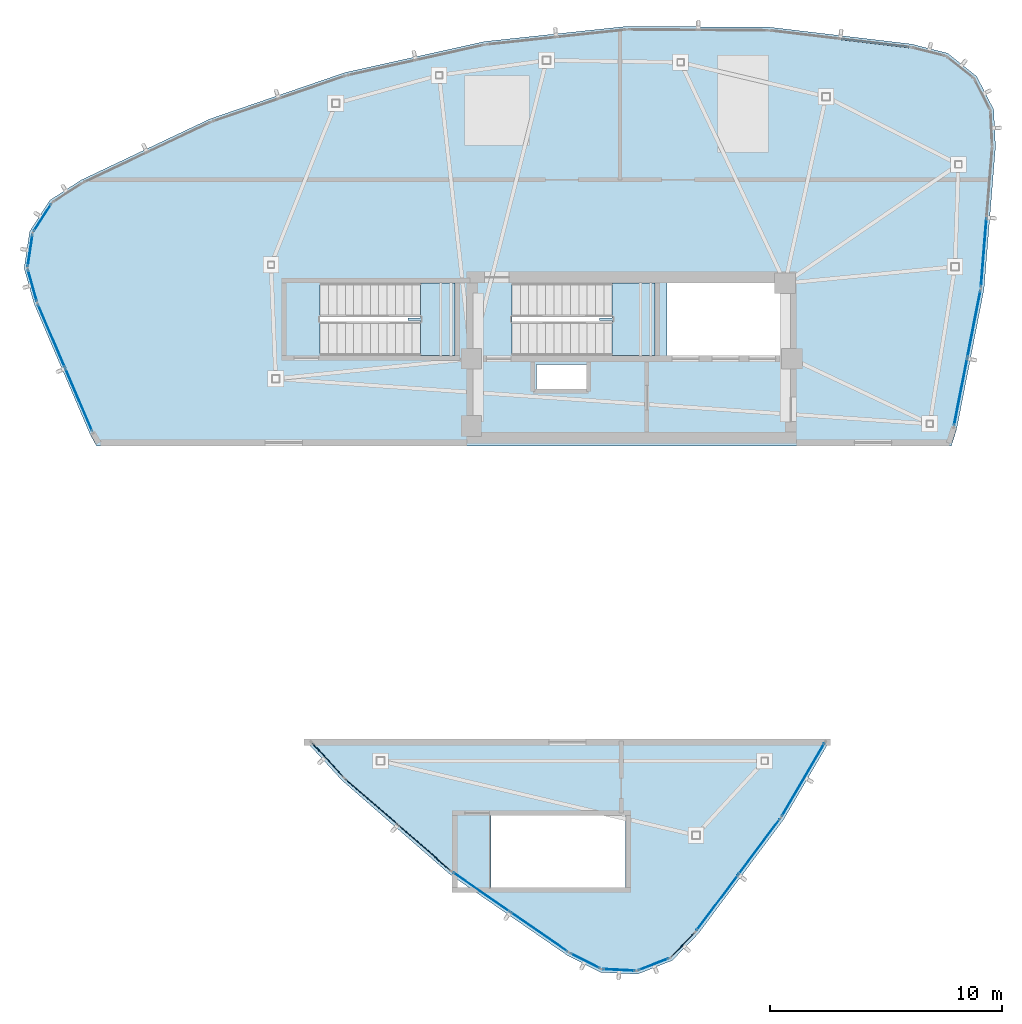
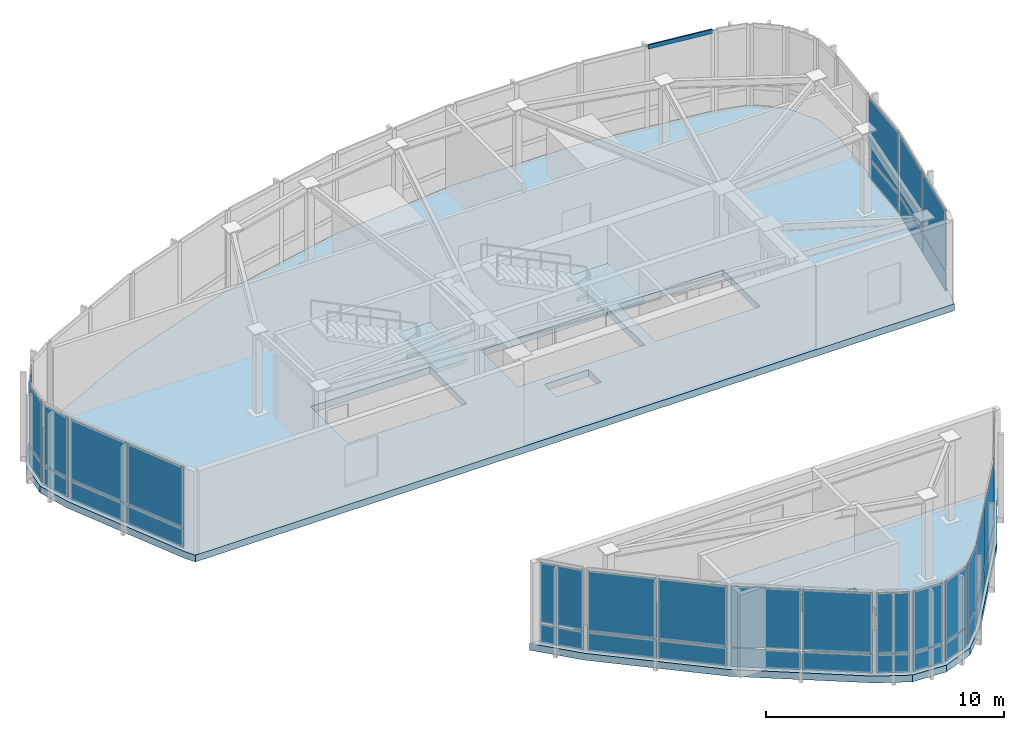
# One storey, part 8 of 15: 40 plates, 4 slabs, 1 member, 18 elements without a shape of their own.
"""IFC4 building model written with IfcOpenShell, lengths in metres."""

from ifc_helpers import new_model, si_unit, direction, frame, origin, origin_2d, place, context, subcontext, project, spatial, polyline, rectangle, hollow_rectangle, outline, extrude, source, transform, mapped, material, layer, layer_set, material_profile, profile_set, type_object, type_shapes, element, aggregate, save


model = new_model("IFC4")

# Units and contexts
model_context = context("Model", 3, precision=1e-05, world=origin(), true_north=direction((0.0, 1.0)))
body_context = subcontext(model_context, "Body", "Model", "MODEL_VIEW")
ifc_project = project(units=[si_unit("LENGTHUNIT", "METRE"), si_unit("AREAUNIT", "SQUARE_METRE"), si_unit("VOLUMEUNIT", "CUBIC_METRE"), si_unit("PLANEANGLEUNIT", "RADIAN"), si_unit("MASSUNIT", "GRAM", prefix="KILO")], contexts=[model_context])

# Site, building, storey
site_placement = place(None, origin())
site = spatial("IfcSite", under=ifc_project, at=site_placement, CompositionType="ELEMENT")
building_placement = place(site_placement, origin())
building = spatial("IfcBuilding", under=site, at=building_placement, Name="Tavelor Broadcast Tower", CompositionType="ELEMENT")
storey_placement = place(building_placement, frame((0.0, 0.0, 341.300048828125)))
storey = spatial("IfcBuildingStorey", under=building, at=storey_placement, Name="L81", CompositionType="ELEMENT", Elevation=341.300048828125)

# Curtain wall, member
ifc_material_1 = material(Name="Architectural Anodized Aluminium", Category="aluminium")
ifc_layer_1 = layer(ifc_material_1, 0.2099609375)
ifc_layer_set_1 = layer_set([ifc_layer_1], Name="Architectural Anodized Aluminium")
curtain_wall_type = type_object("IfcCurtainWallType", Name="Split-Crown Beacon Curtain Wall CW06", PredefinedType="NOTDEFINED", material=ifc_layer_set_1)
curtain_wall_1_placement = place(storey_placement, origin())
curtain_wall_1 = element("IfcCurtainWall", 1, at=curtain_wall_1_placement, inside=storey, type_object=curtain_wall_type, Name="L81 Curtain Wall CW06 Run 935", PredefinedType="NOTDEFINED")
ifc_material_profile = material_profile(ifc_material_1, hollow_rectangle(XDim=0.072021484375, YDim=0.2099609375, WallThickness=0.02197265625, at=origin_2d()), Name="RHS 72x210x22")
ifc_profile_set = profile_set([ifc_material_profile], Name="Architectural Anodized Aluminium")
member_type = type_object("IfcMemberType", Name="CW06 Extruded Aluminium Transom 72x210", PredefinedType="USERDEFINED", material=ifc_profile_set)
shared_shape_1 = source(origin(), body_context, "Body", "SweptSolid", [
    extrude(hollow_rectangle(XDim=0.072021484375, YDim=0.2099609375, WallThickness=0.02197265625, at=origin_2d()), origin(), (0.0, 0.0, 1.0), 2.94140625),
])
type_shapes(member_type, [shared_shape_1])
member_placement = place(storey_placement, frame((61.929931640625, 61.360595703125, 4.2138671875), z_axis=(-0.99300079503, 0.118107667279, 0.0), x_axis=(-0.118107667279, -0.99300079503, 0.0)))
member = element("IfcMember", 2, at=member_placement, type_object=member_type, Name="CW06 transom 1.3", ObjectType="TRANSOM", PredefinedType="USERDEFINED", context=body_context, shape_type="MappedRepresentation", body=[
    mapped(shared_shape_1, transform((0.0, 0.0, 0.0), scale=1.0)),
])
aggregate(curtain_wall_1, [member])

# Slabs
ifc_material_2 = material(Name="Concrete C40/50", Category="concrete")
ifc_layer_2 = layer(ifc_material_2, 0.35009765625)
ifc_layer_set_2 = layer_set([ifc_layer_2], Name="Concrete C40/50")
slab_type_1 = type_object("IfcSlabType", Name="Podium Structural Floor Slab 350 mm", PredefinedType="FLOOR", material=ifc_layer_set_2)
slab_1_placement = place(storey_placement, frame((0.0, 0.0, -0.35009765625)))
element("IfcSlab", 3, at=slab_1_placement, inside=storey, type_object=slab_type_1, Name="L81 Crown Peak A Floor Slab", PredefinedType="FLOOR", context=body_context, shape_type="SweptSolid", body=[
    extrude(outline(polyline([(26.9814453125, 44.199951171875), (63.755859375, 44.199951171875), (63.9814453125, 44.916259765625), (65.15966796875, 50.9482421875), (65.65478515625, 57.07421875), (65.5751953125, 58.6728515625), (64.8447265625, 60.096923828125), (63.59326171875, 61.09423828125), (62.0419921875, 61.48828125), (55.93896484375, 62.2138671875), (49.793212890625, 62.251220703125), (43.681640625, 61.599853515625), (37.681640625, 60.267822265625), (31.868896484375, 58.272216796875), (26.31591796875, 55.637939453125), (24.971435546875, 54.769775390625), (24.103271484375, 53.42529296875), (23.865234375, 51.842529296875), (24.2998046875, 50.30224609375), (26.722900390625, 44.654052734375), (26.9814453125, 44.199951171875)]), holes=[polyline([(48.050048828125, 47.699951171875), (48.050048828125, 46.64990234375), (45.89990234375, 46.64990234375), (45.89990234375, 47.699951171875), (48.050048828125, 47.699951171875)]), polyline([(42.39599609375, 51.196044921875), (42.39599609375, 48.10400390625), (36.60400390625, 48.10400390625), (36.60400390625, 51.196044921875), (42.39599609375, 51.196044921875)]), polyline([(50.99609375, 51.196044921875), (50.99609375, 48.10400390625), (44.85400390625, 48.10400390625), (44.85400390625, 51.196044921875), (50.99609375, 51.196044921875)]), polyline([(56.60009765625, 51.199951171875), (56.60009765625, 48.10009765625), (51.52001953125, 48.10009765625), (51.52001953125, 51.199951171875), (56.60009765625, 51.199951171875)])]), origin(), (0.0, 0.0, 1.0), 0.35009765625),
])
slab_2_placement = place(storey_placement, frame((0.0, 0.0, -0.35009765625)))
element("IfcSlab", 4, at=slab_2_placement, inside=storey, type_object=slab_type_1, Name="L81 Crown Peak B Floor Slab", PredefinedType="FLOOR", context=body_context, shape_type="SweptSolid", body=[
    extrude(outline(polyline([(58.568603515625, 31.60009765625), (35.90087890625, 31.60009765625), (37.53662109375, 29.81591796875), (42.17138671875, 25.779541015625), (47.229248046875, 22.28759765625), (48.6533203125, 21.557373046875), (50.251953125, 21.477783203125), (51.741455078125, 22.06298828125), (52.8583984375, 23.20947265625), (56.5380859375, 28.132080078125), (58.568603515625, 31.60009765625)]), holes=[polyline([(43.9541015625, 25.2041015625), (43.9541015625, 28.2958984375), (49.74609375, 28.2958984375), (49.74609375, 25.2041015625), (43.9541015625, 25.2041015625)])]), origin(), (0.0, 0.0, 1.0), 0.35009765625),
])

# Stair, slab
stair_type = type_object("IfcStairType", Name="Reinforced Concrete Protected Dogleg Stair 1450 mm", PredefinedType="HALF_TURN_STAIR", material=ifc_material_2)
stair_1_placement = place(storey_placement, origin())
stair_1 = element("IfcStair", 5, at=stair_1_placement, inside=storey, type_object=stair_type, Name="L81 Protected Core Exit Stair ST1", PredefinedType="HALF_TURN_STAIR")
ifc_layer_3 = layer(ifc_material_2, 0.199951171875)
ifc_layer_set_3 = layer_set([ifc_layer_3], Name="Concrete C40/50")
slab_type_2 = type_object("IfcSlabType", Name="Reinforced Concrete Stair Half-Landing Slab 200 mm", PredefinedType="LANDING", material=ifc_layer_set_3)
slab_3_placement = place(storey_placement, frame((0.0, 0.0, 2.099853515625)))
slab_3 = element("IfcSlab", 6, at=slab_3_placement, type_object=slab_type_2, Name="ST1 landing 1", PredefinedType="LANDING", context=body_context, shape_type="SweptSolid", body=[
    extrude(outline(polyline([(49.1650390625, 49.590087890625), (49.1650390625, 48.094970703125), (51.0048828125, 48.094970703125), (51.0048828125, 51.205078125), (49.1650390625, 51.205078125), (49.1650390625, 49.7099609375), (48.625, 49.7099609375), (48.625, 49.590087890625), (49.1650390625, 49.590087890625)])), origin(), (0.0, 0.0, 1.0), 0.2001953125),
])
aggregate(stair_1, [slab_3])

stair_2_placement = place(storey_placement, origin())
stair_2 = element("IfcStair", 7, at=stair_2_placement, inside=storey, type_object=stair_type, Name="L81 Crown Peak A Plant Stair ST5", PredefinedType="HALF_TURN_STAIR")
slab_4_placement = place(storey_placement, frame((0.0, 0.0, 2.099853515625)))
slab_4 = element("IfcSlab", 8, at=slab_4_placement, type_object=slab_type_2, Name="ST5 landing 1", PredefinedType="LANDING", context=body_context, shape_type="SweptSolid", body=[
    extrude(outline(polyline([(40.9150390625, 49.590087890625), (40.9150390625, 48.094970703125), (42.405029296875, 48.094970703125), (42.405029296875, 51.205078125), (40.9150390625, 51.205078125), (40.9150390625, 49.7099609375), (40.375, 49.7099609375), (40.375, 49.590087890625), (40.9150390625, 49.590087890625)])), origin(), (0.0, 0.0, 1.0), 0.2001953125),
])
aggregate(stair_2, [slab_4])

# Curtain wall, plates
curtain_wall_2_placement = place(storey_placement, origin())
curtain_wall_2 = element("IfcCurtainWall", 9, at=curtain_wall_2_placement, inside=storey, type_object=curtain_wall_type, Name="L81 Curtain Wall CW06 Run 929", PredefinedType="NOTDEFINED")
ifc_material_3 = material(Name="Dichroic Solar Laminated Glazing 34 mm", Category="glass")
ifc_layer_4 = layer(ifc_material_3, 0.033935546875)
ifc_layer_set_4 = layer_set([ifc_layer_4], Name="Dichroic Solar Laminated Glazing 34 mm")
plate_type = type_object("IfcPlateType", Name="CW06 Insulated Vision Glazing Panel 34 mm", PredefinedType="CURTAIN_PANEL", material=ifc_layer_set_4)
shared_shape_2 = source(origin(), body_context, "Body", "SweptSolid", [
    extrude(rectangle(XDim=2.90966796875, YDim=0.033935546875, at=origin_2d()), origin(), (0.0, 0.0, 1.0), 0.94189453125),
])
plate_1_placement = place(storey_placement, frame((64.153564453125, 46.52783203125, 0.072021484375), z_axis=(0.0, 0.0, 1.0), x_axis=(0.191707345635, 0.98145213517, 0.0)))
plate_1 = element("IfcPlate", 10, at=plate_1_placement, type_object=plate_type, Name="CW06 panel 1.1", PredefinedType="CURTAIN_PANEL", context=body_context, shape_type="MappedRepresentation", body=[
    mapped(shared_shape_2, transform((0.0, 0.0, 0.0), scale=1.0)),
])
plate_2_placement = place(storey_placement, frame((64.72509765625, 49.4541015625, 0.072021484375), z_axis=(0.0, 0.0, 1.0), x_axis=(0.191707345635, 0.98145213517, 0.0)))
plate_2 = element("IfcPlate", 11, at=plate_2_placement, type_object=plate_type, Name="CW06 panel 2.1", PredefinedType="CURTAIN_PANEL", context=body_context, shape_type="MappedRepresentation", body=[
    mapped(shared_shape_2, transform((0.0, 0.0, 0.0), scale=1.0)),
])
shared_shape_3 = source(origin(), body_context, "Body", "SweptSolid", [
    extrude(rectangle(XDim=2.90966796875, YDim=0.033935546875, at=origin_2d()), origin(), (0.0, 0.0, 1.0), 3.092041015625),
])
plate_3_placement = place(storey_placement, frame((64.153564453125, 46.52783203125, 1.0859375), z_axis=(0.0, 0.0, 1.0), x_axis=(0.191707345635, 0.98145213517, 0.0)))
plate_3 = element("IfcPlate", 12, at=plate_3_placement, type_object=plate_type, Name="CW06 panel 1.2", PredefinedType="CURTAIN_PANEL", context=body_context, shape_type="MappedRepresentation", body=[
    mapped(shared_shape_3, transform((0.0, 0.0, 0.0), scale=1.0)),
])
plate_4_placement = place(storey_placement, frame((64.72509765625, 49.4541015625, 1.0859375), z_axis=(0.0, 0.0, 1.0), x_axis=(0.191707345635, 0.98145213517, 0.0)))
plate_4 = element("IfcPlate", 13, at=plate_4_placement, type_object=plate_type, Name="CW06 panel 2.2", PredefinedType="CURTAIN_PANEL", context=body_context, shape_type="MappedRepresentation", body=[
    mapped(shared_shape_3, transform((0.0, 0.0, 0.0), scale=1.0)),
])
aggregate(curtain_wall_2, [plate_1, plate_3, plate_2, plate_4])

# Curtain wall, plate
curtain_wall_3_placement = place(storey_placement, origin())
curtain_wall_3 = element("IfcCurtainWall", 14, at=curtain_wall_3_placement, inside=storey, type_object=curtain_wall_type, Name="L81 Curtain Wall CW06 Run 930", PredefinedType="NOTDEFINED")
shared_shape_4 = source(origin(), body_context, "Body", "SweptSolid", [
    extrude(rectangle(XDim=2.94140625, YDim=0.033935546875, at=origin_2d()), origin(), (0.0, 0.0, 1.0), 0.94189453125),
])
plate_5_placement = place(storey_placement, frame((65.146240234375, 52.52001953125, 0.072021484375), z_axis=(0.0, 0.0, 1.0), x_axis=(0.080538947925, 0.996751462435, 0.0)))
plate_5 = element("IfcPlate", 15, at=plate_5_placement, type_object=plate_type, Name="CW06 panel 1.1", PredefinedType="CURTAIN_PANEL", context=body_context, shape_type="MappedRepresentation", body=[
    mapped(shared_shape_4, transform((0.0, 0.0, 0.0), scale=1.0)),
])

# Curtain wall, plates
curtain_wall_4_placement = place(storey_placement, origin())
curtain_wall_4 = element("IfcCurtainWall", 16, at=curtain_wall_4_placement, inside=storey, type_object=curtain_wall_type, Name="L81 Curtain Wall CW06 Run 948", PredefinedType="NOTDEFINED")
plate_6_placement = place(storey_placement, frame((43.53955078125, 25.005126953125, 0.072021484375), z_axis=(0.0, 0.0, 1.0), x_axis=(0.822932856919, -0.568138638892, 0.0)))
plate_6 = element("IfcPlate", 17, at=plate_6_placement, type_object=plate_type, Name="CW06 panel 1.1", PredefinedType="CURTAIN_PANEL", context=body_context, shape_type="MappedRepresentation", body=[
    mapped(shared_shape_4, transform((0.0, 0.0, 0.0), scale=1.0)),
])
plate_7_placement = place(storey_placement, frame((46.01953125, 23.293212890625, 0.072021484375), z_axis=(0.0, 0.0, 1.0), x_axis=(0.822932856919, -0.568138638892, 0.0)))
plate_7 = element("IfcPlate", 18, at=plate_7_placement, type_object=plate_type, Name="CW06 panel 2.1", PredefinedType="CURTAIN_PANEL", context=body_context, shape_type="MappedRepresentation", body=[
    mapped(shared_shape_4, transform((0.0, 0.0, 0.0), scale=1.0)),
])

curtain_wall_5_placement = place(storey_placement, origin())
curtain_wall_5 = element("IfcCurtainWall", 19, at=curtain_wall_5_placement, inside=storey, type_object=curtain_wall_type, Name="L81 Curtain Wall CW06 Run 953", PredefinedType="NOTDEFINED")
plate_8_placement = place(storey_placement, frame((53.684326171875, 24.54833984375, 0.072021484375), z_axis=(0.0, 0.0, 1.0), x_axis=(0.598753167735, 0.800933607815, 0.0)))
plate_8 = element("IfcPlate", 20, at=plate_8_placement, type_object=plate_type, Name="CW06 panel 1.1", PredefinedType="CURTAIN_PANEL", context=body_context, shape_type="MappedRepresentation", body=[
    mapped(shared_shape_4, transform((0.0, 0.0, 0.0), scale=1.0)),
])
plate_9_placement = place(storey_placement, frame((55.48876953125, 26.9619140625, 0.072021484375), z_axis=(0.0, 0.0, 1.0), x_axis=(0.598753167735, 0.800933607815, 0.0)))
plate_9 = element("IfcPlate", 21, at=plate_9_placement, type_object=plate_type, Name="CW06 panel 2.1", PredefinedType="CURTAIN_PANEL", context=body_context, shape_type="MappedRepresentation", body=[
    mapped(shared_shape_4, transform((0.0, 0.0, 0.0), scale=1.0)),
])

# Plate
shared_shape_5 = source(origin(), body_context, "Body", "SweptSolid", [
    extrude(rectangle(XDim=2.94140625, YDim=0.033935546875, at=origin_2d()), origin(), (0.0, 0.0, 1.0), 3.092041015625),
])
plate_10_placement = place(storey_placement, frame((65.146240234375, 52.52001953125, 1.0859375), z_axis=(0.0, 0.0, 1.0), x_axis=(0.080538947925, 0.996751462435, 0.0)))
plate_10 = element("IfcPlate", 22, at=plate_10_placement, type_object=plate_type, Name="CW06 panel 1.2", PredefinedType="CURTAIN_PANEL", context=body_context, shape_type="MappedRepresentation", body=[
    mapped(shared_shape_5, transform((0.0, 0.0, 0.0), scale=1.0)),
])

aggregate(curtain_wall_3, [plate_5, plate_10])

plate_11_placement = place(storey_placement, frame((43.53955078125, 25.005126953125, 1.0859375), z_axis=(0.0, 0.0, 1.0), x_axis=(0.822932856919, -0.568138638892, 0.0)))
plate_11 = element("IfcPlate", 23, at=plate_11_placement, type_object=plate_type, Name="CW06 panel 1.2", PredefinedType="CURTAIN_PANEL", context=body_context, shape_type="MappedRepresentation", body=[
    mapped(shared_shape_5, transform((0.0, 0.0, 0.0), scale=1.0)),
])

plate_12_placement = place(storey_placement, frame((46.01953125, 23.293212890625, 1.0859375), z_axis=(0.0, 0.0, 1.0), x_axis=(0.822932856919, -0.568138638892, 0.0)))
plate_12 = element("IfcPlate", 24, at=plate_12_placement, type_object=plate_type, Name="CW06 panel 2.2", PredefinedType="CURTAIN_PANEL", context=body_context, shape_type="MappedRepresentation", body=[
    mapped(shared_shape_5, transform((0.0, 0.0, 0.0), scale=1.0)),
])

aggregate(curtain_wall_4, [plate_6, plate_11, plate_7, plate_12])

plate_13_placement = place(storey_placement, frame((53.684326171875, 24.54833984375, 1.0859375), z_axis=(0.0, 0.0, 1.0), x_axis=(0.598753167735, 0.800933607815, 0.0)))
plate_13 = element("IfcPlate", 25, at=plate_13_placement, type_object=plate_type, Name="CW06 panel 1.2", PredefinedType="CURTAIN_PANEL", context=body_context, shape_type="MappedRepresentation", body=[
    mapped(shared_shape_5, transform((0.0, 0.0, 0.0), scale=1.0)),
])

plate_14_placement = place(storey_placement, frame((55.48876953125, 26.9619140625, 1.0859375), z_axis=(0.0, 0.0, 1.0), x_axis=(0.598753167735, 0.800933607815, 0.0)))
plate_14 = element("IfcPlate", 26, at=plate_14_placement, type_object=plate_type, Name="CW06 panel 2.2", PredefinedType="CURTAIN_PANEL", context=body_context, shape_type="MappedRepresentation", body=[
    mapped(shared_shape_5, transform((0.0, 0.0, 0.0), scale=1.0)),
])

aggregate(curtain_wall_5, [plate_8, plate_13, plate_9, plate_14])

# Curtain wall, plate
curtain_wall_6_placement = place(storey_placement, origin())
curtain_wall_6 = element("IfcCurtainWall", 27, at=curtain_wall_6_placement, inside=storey, type_object=curtain_wall_type, Name="L81 Curtain Wall CW06 Run 944", PredefinedType="NOTDEFINED")
shared_shape_6 = source(origin(), body_context, "Body", "SweptSolid", [
    extrude(rectangle(XDim=1.38720703125, YDim=0.033935546875, at=origin_2d()), origin(), (0.0, 0.0, 1.0), 0.94189453125),
])
plate_15_placement = place(storey_placement, frame((24.22021484375, 51.100341796875, 0.072021484375), z_axis=(0.0, 0.0, 1.0), x_axis=(0.271467920334, -0.962447488557, 0.0)))
plate_15 = element("IfcPlate", 28, at=plate_15_placement, type_object=plate_type, Name="CW06 panel 1.1", PredefinedType="CURTAIN_PANEL", context=body_context, shape_type="MappedRepresentation", body=[
    mapped(shared_shape_6, transform((0.0, 0.0, 0.0), scale=1.0)),
])

curtain_wall_7_placement = place(storey_placement, origin())
curtain_wall_7 = element("IfcCurtainWall", 29, at=curtain_wall_7_placement, inside=storey, type_object=curtain_wall_type, Name="L81 Curtain Wall CW06 Run 949", PredefinedType="NOTDEFINED")
plate_16_placement = place(storey_placement, frame((47.995849609375, 22.052001953125, 0.072021484375), z_axis=(0.0, 0.0, 1.0), x_axis=(0.88980862294, -0.456333884936, 0.0)))
plate_16 = element("IfcPlate", 30, at=plate_16_placement, type_object=plate_type, Name="CW06 panel 1.1", PredefinedType="CURTAIN_PANEL", context=body_context, shape_type="MappedRepresentation", body=[
    mapped(shared_shape_6, transform((0.0, 0.0, 0.0), scale=1.0)),
])

curtain_wall_8_placement = place(storey_placement, origin())
curtain_wall_8 = element("IfcCurtainWall", 31, at=curtain_wall_8_placement, inside=storey, type_object=curtain_wall_type, Name="L81 Curtain Wall CW06 Run 952", PredefinedType="NOTDEFINED")
plate_17_placement = place(storey_placement, frame((52.20703125, 22.741455078125, 0.072021484375), z_axis=(0.0, 0.0, 1.0), x_axis=(0.697805452618, 0.716287337803, 0.0)))
plate_17 = element("IfcPlate", 32, at=plate_17_placement, type_object=plate_type, Name="CW06 panel 1.1", PredefinedType="CURTAIN_PANEL", context=body_context, shape_type="MappedRepresentation", body=[
    mapped(shared_shape_6, transform((0.0, 0.0, 0.0), scale=1.0)),
])

# Plate
shared_shape_7 = source(origin(), body_context, "Body", "SweptSolid", [
    extrude(rectangle(XDim=1.38720703125, YDim=0.033935546875, at=origin_2d()), origin(), (0.0, 0.0, 1.0), 3.092041015625),
])
plate_18_placement = place(storey_placement, frame((24.22021484375, 51.100341796875, 1.0859375), z_axis=(0.0, 0.0, 1.0), x_axis=(0.271467920334, -0.962447488557, 0.0)))
plate_18 = element("IfcPlate", 33, at=plate_18_placement, type_object=plate_type, Name="CW06 panel 1.2", PredefinedType="CURTAIN_PANEL", context=body_context, shape_type="MappedRepresentation", body=[
    mapped(shared_shape_7, transform((0.0, 0.0, 0.0), scale=1.0)),
])

aggregate(curtain_wall_6, [plate_15, plate_18])

plate_19_placement = place(storey_placement, frame((47.995849609375, 22.052001953125, 1.0859375), z_axis=(0.0, 0.0, 1.0), x_axis=(0.88980862294, -0.456333884936, 0.0)))
plate_19 = element("IfcPlate", 34, at=plate_19_placement, type_object=plate_type, Name="CW06 panel 1.2", PredefinedType="CURTAIN_PANEL", context=body_context, shape_type="MappedRepresentation", body=[
    mapped(shared_shape_7, transform((0.0, 0.0, 0.0), scale=1.0)),
])

aggregate(curtain_wall_7, [plate_16, plate_19])

plate_20_placement = place(storey_placement, frame((52.20703125, 22.741455078125, 1.0859375), z_axis=(0.0, 0.0, 1.0), x_axis=(0.697805452618, 0.716287337803, 0.0)))
plate_20 = element("IfcPlate", 35, at=plate_20_placement, type_object=plate_type, Name="CW06 panel 1.2", PredefinedType="CURTAIN_PANEL", context=body_context, shape_type="MappedRepresentation", body=[
    mapped(shared_shape_7, transform((0.0, 0.0, 0.0), scale=1.0)),
])

aggregate(curtain_wall_8, [plate_17, plate_20])

# Curtain wall, plate
curtain_wall_9_placement = place(storey_placement, origin())
curtain_wall_9 = element("IfcCurtainWall", 36, at=curtain_wall_9_placement, inside=storey, type_object=curtain_wall_type, Name="L81 Curtain Wall CW06 Run 942", PredefinedType="NOTDEFINED")
shared_shape_8 = source(origin(), body_context, "Body", "SweptSolid", [
    extrude(rectangle(XDim=1.3662109375, YDim=0.033935546875, at=origin_2d()), origin(), (0.0, 0.0, 1.0), 0.94189453125),
])
plate_21_placement = place(storey_placement, frame((24.655029296875, 54.021484375, 0.072021484375), z_axis=(0.0, 0.0, 1.0), x_axis=(-0.542399842541, -0.840120473987, 0.0)))
plate_21 = element("IfcPlate", 37, at=plate_21_placement, type_object=plate_type, Name="CW06 panel 1.1", PredefinedType="CURTAIN_PANEL", context=body_context, shape_type="MappedRepresentation", body=[
    mapped(shared_shape_8, transform((0.0, 0.0, 0.0), scale=1.0)),
])

curtain_wall_10_placement = place(storey_placement, origin())
curtain_wall_10 = element("IfcCurtainWall", 38, at=curtain_wall_10_placement, inside=storey, type_object=curtain_wall_type, Name="L81 Curtain Wall CW06 Run 950", PredefinedType="NOTDEFINED")
plate_22_placement = place(storey_placement, frame((49.459716796875, 21.657470703125, 0.072021484375), z_axis=(0.0, 0.0, 1.0), x_axis=(0.998762884239, -0.049726261335, 0.0)))
plate_22 = element("IfcPlate", 39, at=plate_22_placement, type_object=plate_type, Name="CW06 panel 1.1", PredefinedType="CURTAIN_PANEL", context=body_context, shape_type="MappedRepresentation", body=[
    mapped(shared_shape_8, transform((0.0, 0.0, 0.0), scale=1.0)),
])

curtain_wall_11_placement = place(storey_placement, origin())
curtain_wall_11 = element("IfcCurtainWall", 40, at=curtain_wall_11_placement, inside=storey, type_object=curtain_wall_type, Name="L81 Curtain Wall CW06 Run 951", PredefinedType="NOTDEFINED")
plate_23_placement = place(storey_placement, frame((50.945556640625, 21.900634765625, 0.072021484375), z_axis=(0.0, 0.0, 1.0), x_axis=(0.930728956357, 0.365709734349, 0.0)))
plate_23 = element("IfcPlate", 41, at=plate_23_placement, type_object=plate_type, Name="CW06 panel 1.1", PredefinedType="CURTAIN_PANEL", context=body_context, shape_type="MappedRepresentation", body=[
    mapped(shared_shape_8, transform((0.0, 0.0, 0.0), scale=1.0)),
])

# Plate
shared_shape_9 = source(origin(), body_context, "Body", "SweptSolid", [
    extrude(rectangle(XDim=1.3662109375, YDim=0.033935546875, at=origin_2d()), origin(), (0.0, 0.0, 1.0), 3.092041015625),
])
plate_24_placement = place(storey_placement, frame((24.655029296875, 54.021484375, 1.0859375), z_axis=(0.0, 0.0, 1.0), x_axis=(-0.542399842541, -0.840120473987, 0.0)))
plate_24 = element("IfcPlate", 42, at=plate_24_placement, type_object=plate_type, Name="CW06 panel 1.2", PredefinedType="CURTAIN_PANEL", context=body_context, shape_type="MappedRepresentation", body=[
    mapped(shared_shape_9, transform((0.0, 0.0, 0.0), scale=1.0)),
])

aggregate(curtain_wall_9, [plate_21, plate_24])

plate_25_placement = place(storey_placement, frame((49.459716796875, 21.657470703125, 1.0859375), z_axis=(0.0, 0.0, 1.0), x_axis=(0.998762884239, -0.049726261335, 0.0)))
plate_25 = element("IfcPlate", 43, at=plate_25_placement, type_object=plate_type, Name="CW06 panel 1.2", PredefinedType="CURTAIN_PANEL", context=body_context, shape_type="MappedRepresentation", body=[
    mapped(shared_shape_9, transform((0.0, 0.0, 0.0), scale=1.0)),
])

aggregate(curtain_wall_10, [plate_22, plate_25])

plate_26_placement = place(storey_placement, frame((50.945556640625, 21.900634765625, 1.0859375), z_axis=(0.0, 0.0, 1.0), x_axis=(0.930728956357, 0.365709734349, 0.0)))
plate_26 = element("IfcPlate", 44, at=plate_26_placement, type_object=plate_type, Name="CW06 panel 1.2", PredefinedType="CURTAIN_PANEL", context=body_context, shape_type="MappedRepresentation", body=[
    mapped(shared_shape_9, transform((0.0, 0.0, 0.0), scale=1.0)),
])

aggregate(curtain_wall_11, [plate_23, plate_26])

# Curtain wall, plates
curtain_wall_12_placement = place(storey_placement, origin())
curtain_wall_12 = element("IfcCurtainWall", 45, at=curtain_wall_12_placement, inside=storey, type_object=curtain_wall_type, Name="L81 Curtain Wall CW06 Run 947", PredefinedType="NOTDEFINED")
shared_shape_10 = source(origin(), body_context, "Body", "SweptSolid", [
    extrude(rectangle(XDim=2.942138671875, YDim=0.033935546875, at=origin_2d()), origin(), (0.0, 0.0, 1.0), 0.94189453125),
])
plate_27_placement = place(storey_placement, frame((38.8095703125, 28.89306640625, 0.072021484375), z_axis=(0.0, 0.0, 1.0), x_axis=(0.754115117571, -0.656742254961, 0.0)))
plate_27 = element("IfcPlate", 46, at=plate_27_placement, type_object=plate_type, Name="CW06 panel 1.1", PredefinedType="CURTAIN_PANEL", context=body_context, shape_type="MappedRepresentation", body=[
    mapped(shared_shape_10, transform((0.0, 0.0, 0.0), scale=1.0)),
])
plate_28_placement = place(storey_placement, frame((41.08251953125, 26.91357421875, 0.072021484375), z_axis=(0.0, 0.0, 1.0), x_axis=(0.754115117571, -0.656742254961, 0.0)))
plate_28 = element("IfcPlate", 47, at=plate_28_placement, type_object=plate_type, Name="CW06 panel 2.1", PredefinedType="CURTAIN_PANEL", context=body_context, shape_type="MappedRepresentation", body=[
    mapped(shared_shape_10, transform((0.0, 0.0, 0.0), scale=1.0)),
])
shared_shape_11 = source(origin(), body_context, "Body", "SweptSolid", [
    extrude(rectangle(XDim=2.942138671875, YDim=0.033935546875, at=origin_2d()), origin(), (0.0, 0.0, 1.0), 3.092041015625),
])
plate_29_placement = place(storey_placement, frame((38.8095703125, 28.89306640625, 1.0859375), z_axis=(0.0, 0.0, 1.0), x_axis=(0.754115117571, -0.656742254961, 0.0)))
plate_29 = element("IfcPlate", 48, at=plate_29_placement, type_object=plate_type, Name="CW06 panel 1.2", PredefinedType="CURTAIN_PANEL", context=body_context, shape_type="MappedRepresentation", body=[
    mapped(shared_shape_11, transform((0.0, 0.0, 0.0), scale=1.0)),
])
plate_30_placement = place(storey_placement, frame((41.08251953125, 26.91357421875, 1.0859375), z_axis=(0.0, 0.0, 1.0), x_axis=(0.754115117571, -0.656742254961, 0.0)))
plate_30 = element("IfcPlate", 49, at=plate_30_placement, type_object=plate_type, Name="CW06 panel 2.2", PredefinedType="CURTAIN_PANEL", context=body_context, shape_type="MappedRepresentation", body=[
    mapped(shared_shape_11, transform((0.0, 0.0, 0.0), scale=1.0)),
])
aggregate(curtain_wall_12, [plate_27, plate_29, plate_28, plate_30])

curtain_wall_13_placement = place(storey_placement, origin())
curtain_wall_13 = element("IfcCurtainWall", 50, at=curtain_wall_13_placement, inside=storey, type_object=curtain_wall_type, Name="L81 Curtain Wall CW06 Run 943", PredefinedType="NOTDEFINED")
shared_shape_12 = source(origin(), body_context, "Body", "SweptSolid", [
    extrude(rectangle(XDim=1.365966796875, YDim=0.033935546875, at=origin_2d()), origin(), (0.0, 0.0, 1.0), 0.94189453125),
])
plate_31_placement = place(storey_placement, frame((24.122802734375, 52.613037109375, 0.072021484375), z_axis=(0.0, 0.0, 1.0), x_axis=(-0.148667505063, -0.988887239749, 0.0)))
plate_31 = element("IfcPlate", 51, at=plate_31_placement, type_object=plate_type, Name="CW06 panel 1.1", PredefinedType="CURTAIN_PANEL", context=body_context, shape_type="MappedRepresentation", body=[
    mapped(shared_shape_12, transform((0.0, 0.0, 0.0), scale=1.0)),
])
shared_shape_13 = source(origin(), body_context, "Body", "SweptSolid", [
    extrude(rectangle(XDim=1.365966796875, YDim=0.033935546875, at=origin_2d()), origin(), (0.0, 0.0, 1.0), 3.092041015625),
])
plate_32_placement = place(storey_placement, frame((24.122802734375, 52.613037109375, 1.0859375), z_axis=(0.0, 0.0, 1.0), x_axis=(-0.148667505063, -0.988887239749, 0.0)))
plate_32 = element("IfcPlate", 52, at=plate_32_placement, type_object=plate_type, Name="CW06 panel 1.2", PredefinedType="CURTAIN_PANEL", context=body_context, shape_type="MappedRepresentation", body=[
    mapped(shared_shape_13, transform((0.0, 0.0, 0.0), scale=1.0)),
])
aggregate(curtain_wall_13, [plate_31, plate_32])

curtain_wall_14_placement = place(storey_placement, origin())
curtain_wall_14 = element("IfcCurtainWall", 53, at=curtain_wall_14_placement, inside=storey, type_object=curtain_wall_type, Name="L81 Curtain Wall CW06 Run 945", PredefinedType="NOTDEFINED")
shared_shape_14 = source(origin(), body_context, "Body", "SweptSolid", [
    extrude(rectangle(XDim=2.908935546875, YDim=0.033935546875, at=origin_2d()), origin(), (0.0, 0.0, 1.0), 0.94189453125),
])
plate_33_placement = place(storey_placement, frame((25.039794921875, 48.932373046875, 0.072021484375), z_axis=(0.0, 0.0, 1.0), x_axis=(0.394247298102, -0.91900438951, 0.0)))
plate_33 = element("IfcPlate", 54, at=plate_33_placement, type_object=plate_type, Name="CW06 panel 1.1", PredefinedType="CURTAIN_PANEL", context=body_context, shape_type="MappedRepresentation", body=[
    mapped(shared_shape_14, transform((0.0, 0.0, 0.0), scale=1.0)),
])
plate_34_placement = place(storey_placement, frame((26.215087890625, 46.19287109375, 0.072021484375), z_axis=(0.0, 0.0, 1.0), x_axis=(0.394247298102, -0.91900438951, 0.0)))
plate_34 = element("IfcPlate", 55, at=plate_34_placement, type_object=plate_type, Name="CW06 panel 2.1", PredefinedType="CURTAIN_PANEL", context=body_context, shape_type="MappedRepresentation", body=[
    mapped(shared_shape_14, transform((0.0, 0.0, 0.0), scale=1.0)),
])
shared_shape_15 = source(origin(), body_context, "Body", "SweptSolid", [
    extrude(rectangle(XDim=2.908935546875, YDim=0.033935546875, at=origin_2d()), origin(), (0.0, 0.0, 1.0), 3.092041015625),
])
plate_35_placement = place(storey_placement, frame((25.039794921875, 48.932373046875, 1.0859375), z_axis=(0.0, 0.0, 1.0), x_axis=(0.394247298102, -0.91900438951, 0.0)))
plate_35 = element("IfcPlate", 56, at=plate_35_placement, type_object=plate_type, Name="CW06 panel 1.2", PredefinedType="CURTAIN_PANEL", context=body_context, shape_type="MappedRepresentation", body=[
    mapped(shared_shape_15, transform((0.0, 0.0, 0.0), scale=1.0)),
])
plate_36_placement = place(storey_placement, frame((26.215087890625, 46.19287109375, 1.0859375), z_axis=(0.0, 0.0, 1.0), x_axis=(0.394247298102, -0.91900438951, 0.0)))
plate_36 = element("IfcPlate", 57, at=plate_36_placement, type_object=plate_type, Name="CW06 panel 2.2", PredefinedType="CURTAIN_PANEL", context=body_context, shape_type="MappedRepresentation", body=[
    mapped(shared_shape_15, transform((0.0, 0.0, 0.0), scale=1.0)),
])
aggregate(curtain_wall_14, [plate_33, plate_35, plate_34, plate_36])

curtain_wall_15_placement = place(storey_placement, origin())
curtain_wall_15 = element("IfcCurtainWall", 58, at=curtain_wall_15_placement, inside=storey, type_object=curtain_wall_type, Name="L81 Curtain Wall CW06 Run 946", PredefinedType="NOTDEFINED")
shared_shape_16 = source(origin(), body_context, "Body", "SweptSolid", [
    extrude(rectangle(XDim=1.935302734375, YDim=0.033935546875, at=origin_2d()), origin(), (0.0, 0.0, 1.0), 0.94189453125),
])
plate_37_placement = place(storey_placement, frame((36.921875, 30.693603515625, 0.072021484375), z_axis=(0.0, 0.0, 1.0), x_axis=(0.675783425174, -0.73710023895, 0.0)))
plate_37 = element("IfcPlate", 59, at=plate_37_placement, type_object=plate_type, Name="CW06 panel 1.1", PredefinedType="CURTAIN_PANEL", context=body_context, shape_type="MappedRepresentation", body=[
    mapped(shared_shape_16, transform((0.0, 0.0, 0.0), scale=1.0)),
])
shared_shape_17 = source(origin(), body_context, "Body", "SweptSolid", [
    extrude(rectangle(XDim=1.935302734375, YDim=0.033935546875, at=origin_2d()), origin(), (0.0, 0.0, 1.0), 3.092041015625),
])
plate_38_placement = place(storey_placement, frame((36.921875, 30.693603515625, 1.0859375), z_axis=(0.0, 0.0, 1.0), x_axis=(0.675783425174, -0.73710023895, 0.0)))
plate_38 = element("IfcPlate", 60, at=plate_38_placement, type_object=plate_type, Name="CW06 panel 1.2", PredefinedType="CURTAIN_PANEL", context=body_context, shape_type="MappedRepresentation", body=[
    mapped(shared_shape_17, transform((0.0, 0.0, 0.0), scale=1.0)),
])
aggregate(curtain_wall_15, [plate_37, plate_38])

curtain_wall_16_placement = place(storey_placement, origin())
curtain_wall_16 = element("IfcCurtainWall", 61, at=curtain_wall_16_placement, inside=storey, type_object=curtain_wall_type, Name="L81 Curtain Wall CW06 Run 954", PredefinedType="NOTDEFINED")
shared_shape_18 = source(origin(), body_context, "Body", "SweptSolid", [
    extrude(rectangle(XDim=3.607421875, YDim=0.033935546875, at=origin_2d()), origin(), (0.0, 0.0, 1.0), 0.94189453125),
])
plate_39_placement = place(storey_placement, frame((57.376708984375, 29.84130859375, 0.072021484375), z_axis=(0.0, 0.0, 1.0), x_axis=(0.50526587555, 0.862963727514, 0.0)))
plate_39 = element("IfcPlate", 62, at=plate_39_placement, type_object=plate_type, Name="CW06 panel 1.1", PredefinedType="CURTAIN_PANEL", context=body_context, shape_type="MappedRepresentation", body=[
    mapped(shared_shape_18, transform((0.0, 0.0, 0.0), scale=1.0)),
])
shared_shape_19 = source(origin(), body_context, "Body", "SweptSolid", [
    extrude(rectangle(XDim=3.607421875, YDim=0.033935546875, at=origin_2d()), origin(), (0.0, 0.0, 1.0), 3.092041015625),
])
type_shapes(plate_type, [shared_shape_2, shared_shape_3, shared_shape_4, shared_shape_5, shared_shape_6, shared_shape_7, shared_shape_8, shared_shape_9, shared_shape_10, shared_shape_11, shared_shape_12, shared_shape_13, shared_shape_14, shared_shape_15, shared_shape_16, shared_shape_17, shared_shape_18, shared_shape_19])
plate_40_placement = place(storey_placement, frame((57.376708984375, 29.84130859375, 1.0859375), z_axis=(0.0, 0.0, 1.0), x_axis=(0.50526587555, 0.862963727514, 0.0)))
plate_40 = element("IfcPlate", 63, at=plate_40_placement, type_object=plate_type, Name="CW06 panel 1.2", PredefinedType="CURTAIN_PANEL", context=body_context, shape_type="MappedRepresentation", body=[
    mapped(shared_shape_19, transform((0.0, 0.0, 0.0), scale=1.0)),
])
aggregate(curtain_wall_16, [plate_39, plate_40])

save(model, "model.ifc")
